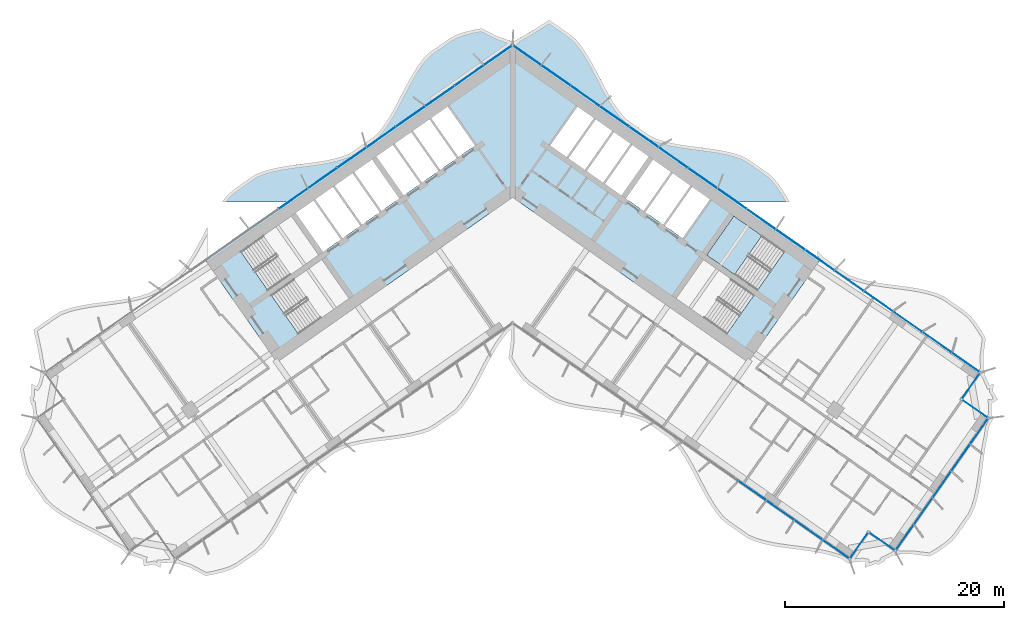
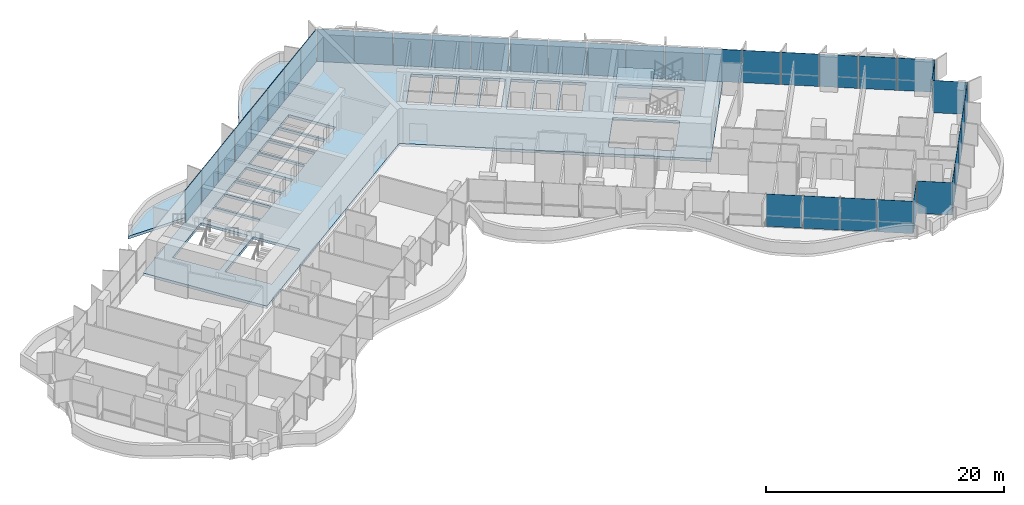
# One storey, part 12 of 24: 37 plates, 3 slabs, 3 elements without a shape of their own.
"""IFC4 building model written with IfcOpenShell, lengths in metres."""

from ifc_helpers import new_model, si_unit, direction, frame, origin, origin_2d, place, context, subcontext, project, spatial, polyline, rectangle, outline, extrude, material, layer, layer_set, type_object, element, aggregate, save


model = new_model("IFC4")

# Units and contexts
model_context = context("Model", 3, precision=1e-05, world=origin(), true_north=direction((0.0, 1.0)))
body_context = subcontext(model_context, "Body", "Model", "MODEL_VIEW")
ifc_project = project(units=[si_unit("LENGTHUNIT", "METRE"), si_unit("AREAUNIT", "SQUARE_METRE"), si_unit("VOLUMEUNIT", "CUBIC_METRE"), si_unit("PLANEANGLEUNIT", "RADIAN"), si_unit("MASSUNIT", "GRAM", prefix="KILO")], contexts=[model_context])

# Site, building, storey
site_placement = place(None, origin())
site = spatial("IfcSite", under=ifc_project, at=site_placement, CompositionType="ELEMENT")
building_placement = place(site_placement, origin())
building = spatial("IfcBuilding", under=site, at=building_placement, Name="Tel Ilan Convention Tower", CompositionType="ELEMENT")
storey_placement = place(building_placement, frame((0.0, 0.0, 65.300048828125)))
storey = spatial("IfcBuildingStorey", under=building, at=storey_placement, Name="L11", CompositionType="ELEMENT", Elevation=65.300048828125)

# Curtain wall, plates
ifc_material_1 = material(Name="Aluminium, bronze anodised", Category="aluminium")
curtain_wall_type_1 = type_object("IfcCurtainWallType", Name="CW1 UNITISED CURTAIN WALL, HOTEL TINTED GLASS", PredefinedType="NOTDEFINED", material=ifc_material_1)
curtain_wall_1_placement = place(storey_placement, origin())
curtain_wall_1 = element("IfcCurtainWall", 1, at=curtain_wall_1_placement, inside=storey, type_object=curtain_wall_type_1, Name="Curtain wall CW1-12.02", PredefinedType="NOTDEFINED")
ifc_material_2 = material(Name="Glass, bronze tinted, two-ply unitised", Category="glass")
ifc_layer_1 = layer(ifc_material_2, 0.028076171875)
ifc_layer_set_1 = layer_set([ifc_layer_1], Name="CW HOTEL GLASS PANEL 28")
plate_type_1 = type_object("IfcPlateType", Name="CW HOTEL GLASS PANEL 28", PredefinedType="CURTAIN_PANEL", material=ifc_layer_set_1)
plate_1_placement = place(storey_placement, frame((21.90185546875, -28.031982421875, 0.0), z_axis=(0.0, 0.0, 1.0), x_axis=(0.819152044289, -0.573576436351, 0.0)))
plate_1 = element("IfcPlate", 2, at=plate_1_placement, type_object=plate_type_1, Name="Glass panel", PredefinedType="CURTAIN_PANEL", context=body_context, shape_type="SweptSolid", body=[
    extrude(rectangle(XDim=3.077392578125, YDim=0.028076171875, at=origin_2d()), origin(), (0.0, 0.0, 1.0), 3.320068359375),
])
plate_2_placement = place(storey_placement, frame((24.4716796875, -29.831298828125, 0.0), z_axis=(0.0, 0.0, 1.0), x_axis=(0.819152044289, -0.573576436351, 0.0)))
plate_2 = element("IfcPlate", 3, at=plate_2_placement, type_object=plate_type_1, Name="Glass panel", PredefinedType="CURTAIN_PANEL", context=body_context, shape_type="SweptSolid", body=[
    extrude(rectangle(XDim=3.077392578125, YDim=0.028076171875, at=origin_2d()), origin(), (0.0, 0.0, 1.0), 3.320068359375),
])
plate_3_placement = place(storey_placement, frame((27.041748046875, -31.630859375, 0.0), z_axis=(0.0, 0.0, 1.0), x_axis=(0.819152044289, -0.573576436351, 0.0)))
plate_3 = element("IfcPlate", 4, at=plate_3_placement, type_object=plate_type_1, Name="Glass panel", PredefinedType="CURTAIN_PANEL", context=body_context, shape_type="SweptSolid", body=[
    extrude(rectangle(XDim=3.077392578125, YDim=0.028076171875, at=origin_2d()), origin(), (0.0, 0.0, 1.0), 3.320068359375),
])
plate_4_placement = place(storey_placement, frame((29.5732421875, -33.4033203125, 0.0), z_axis=(0.0, 0.0, 1.0), x_axis=(0.819152044289, -0.573576436351, 0.0)))
plate_4 = element("IfcPlate", 5, at=plate_4_placement, type_object=plate_type_1, Name="Glass panel", PredefinedType="CURTAIN_PANEL", context=body_context, shape_type="SweptSolid", body=[
    extrude(rectangle(XDim=2.9833984375, YDim=0.028076171875, at=origin_2d()), origin(), (0.0, 0.0, 1.0), 3.320068359375),
])
plate_5_placement = place(storey_placement, frame((31.653076171875, -33.07568359375, 0.0), z_axis=(0.0, 0.0, 1.0), x_axis=(0.573576436351, 0.819152044289, 0.0)))
plate_5 = element("IfcPlate", 6, at=plate_5_placement, type_object=plate_type_1, Name="Glass panel", PredefinedType="CURTAIN_PANEL", context=body_context, shape_type="SweptSolid", body=[
    extrude(rectangle(XDim=2.875, YDim=0.028076171875, at=origin_2d()), origin(), (0.0, 0.0, 1.0), 3.320068359375),
])
plate_6_placement = place(storey_placement, frame((33.795654296875, -32.69775390625, 0.0), z_axis=(0.0, 0.0, 1.0), x_axis=(0.819152044289, -0.573576436351, 0.0)))
plate_6 = element("IfcPlate", 7, at=plate_6_placement, type_object=plate_type_1, Name="Glass panel", PredefinedType="CURTAIN_PANEL", context=body_context, shape_type="SweptSolid", body=[
    extrude(rectangle(XDim=2.875, YDim=0.028076171875, at=origin_2d()), origin(), (0.0, 0.0, 1.0), 3.320068359375),
])
plate_7_placement = place(storey_placement, frame((35.822998046875, -32.350830078125, 0.0), z_axis=(0.0, 0.0, 1.0), x_axis=(0.573576436351, 0.819152044289, 0.0)))
plate_7 = element("IfcPlate", 8, at=plate_7_placement, type_object=plate_type_1, Name="Glass panel", PredefinedType="CURTAIN_PANEL", context=body_context, shape_type="SweptSolid", body=[
    extrude(rectangle(XDim=2.845947265625, YDim=0.028076171875, at=origin_2d()), origin(), (0.0, 0.0, 1.0), 3.320068359375),
])
plate_8_placement = place(storey_placement, frame((37.5166015625, -29.931884765625, 0.0), z_axis=(0.0, 0.0, 1.0), x_axis=(0.573576436351, 0.819152044289, 0.0)))
plate_8 = element("IfcPlate", 9, at=plate_8_placement, type_object=plate_type_1, Name="Glass panel", PredefinedType="CURTAIN_PANEL", context=body_context, shape_type="SweptSolid", body=[
    extrude(rectangle(XDim=2.93994140625, YDim=0.028076171875, at=origin_2d()), origin(), (0.0, 0.0, 1.0), 3.320068359375),
])
plate_9_placement = place(storey_placement, frame((39.2373046875, -27.474365234375, 0.0), z_axis=(0.0, 0.0, 1.0), x_axis=(0.573576436351, 0.819152044289, 0.0)))
plate_9 = element("IfcPlate", 10, at=plate_9_placement, type_object=plate_type_1, Name="Glass panel", PredefinedType="CURTAIN_PANEL", context=body_context, shape_type="SweptSolid", body=[
    extrude(rectangle(XDim=2.93994140625, YDim=0.028076171875, at=origin_2d()), origin(), (0.0, 0.0, 1.0), 3.320068359375),
])
plate_10_placement = place(storey_placement, frame((40.9580078125, -25.016845703125, 0.0), z_axis=(0.0, 0.0, 1.0), x_axis=(0.573576436351, 0.819152044289, 0.0)))
plate_10 = element("IfcPlate", 11, at=plate_10_placement, type_object=plate_type_1, Name="Glass panel", PredefinedType="CURTAIN_PANEL", context=body_context, shape_type="SweptSolid", body=[
    extrude(rectangle(XDim=2.93994140625, YDim=0.028076171875, at=origin_2d()), origin(), (0.0, 0.0, 1.0), 3.320068359375),
])
plate_11_placement = place(storey_placement, frame((42.65185546875, -22.597900390625, 0.0), z_axis=(0.0, 0.0, 1.0), x_axis=(0.573576436351, 0.819152044289, 0.0)))
plate_11 = element("IfcPlate", 12, at=plate_11_placement, type_object=plate_type_1, Name="Glass panel", PredefinedType="CURTAIN_PANEL", context=body_context, shape_type="SweptSolid", body=[
    extrude(rectangle(XDim=2.845947265625, YDim=0.028076171875, at=origin_2d()), origin(), (0.0, 0.0, 1.0), 3.320068359375),
])
plate_12_placement = place(storey_placement, frame((42.28466796875, -20.57421875, 0.0), z_axis=(0.0, 0.0, 1.0), x_axis=(-0.819152044289, 0.573576436351, 0.0)))
plate_12 = element("IfcPlate", 13, at=plate_12_placement, type_object=plate_type_1, Name="Glass panel", PredefinedType="CURTAIN_PANEL", context=body_context, shape_type="SweptSolid", body=[
    extrude(rectangle(XDim=2.875, YDim=0.028076171875, at=origin_2d()), origin(), (0.0, 0.0, 1.0), 3.320068359375),
])
plate_13_placement = place(storey_placement, frame((41.90673828125, -18.431640625, 0.0), z_axis=(0.0, 0.0, 1.0), x_axis=(0.573576436351, 0.819152044289, 0.0)))
plate_13 = element("IfcPlate", 14, at=plate_13_placement, type_object=plate_type_1, Name="Glass panel", PredefinedType="CURTAIN_PANEL", context=body_context, shape_type="SweptSolid", body=[
    extrude(rectangle(XDim=2.875, YDim=0.028076171875, at=origin_2d()), origin(), (0.0, 0.0, 1.0), 3.320068359375),
])
plate_14_placement = place(storey_placement, frame((41.448486328125, -16.326416015625, 0.0), z_axis=(0.0, 0.0, 1.0), x_axis=(-0.819152044289, 0.573576436351, 0.0)))
plate_14 = element("IfcPlate", 15, at=plate_14_placement, type_object=plate_type_1, Name="Glass panel", PredefinedType="CURTAIN_PANEL", context=body_context, shape_type="SweptSolid", body=[
    extrude(rectangle(XDim=3.117919921875, YDim=0.028076171875, at=origin_2d()), origin(), (0.0, 0.0, 1.0), 3.320068359375),
])
plate_15_placement = place(storey_placement, frame((38.806640625, -14.4765625, 0.0), z_axis=(0.0, 0.0, 1.0), x_axis=(-0.819152044289, 0.573576436351, 0.0)))
plate_15 = element("IfcPlate", 16, at=plate_15_placement, type_object=plate_type_1, Name="Glass panel", PredefinedType="CURTAIN_PANEL", context=body_context, shape_type="SweptSolid", body=[
    extrude(rectangle(XDim=3.2119140625, YDim=0.028076171875, at=origin_2d()), origin(), (0.0, 0.0, 1.0), 3.320068359375),
])
plate_16_placement = place(storey_placement, frame((36.12646484375, -12.599853515625, 0.0), z_axis=(0.0, 0.0, 1.0), x_axis=(-0.819152044289, 0.573576436351, 0.0)))
plate_16 = element("IfcPlate", 17, at=plate_16_placement, type_object=plate_type_1, Name="Glass panel", PredefinedType="CURTAIN_PANEL", context=body_context, shape_type="SweptSolid", body=[
    extrude(rectangle(XDim=3.2119140625, YDim=0.028076171875, at=origin_2d()), origin(), (0.0, 0.0, 1.0), 3.320068359375),
])
plate_17_placement = place(storey_placement, frame((33.446044921875, -10.72314453125, 0.0), z_axis=(0.0, 0.0, 1.0), x_axis=(-0.819152044289, 0.573576436351, 0.0)))
plate_17 = element("IfcPlate", 18, at=plate_17_placement, type_object=plate_type_1, Name="Glass panel", PredefinedType="CURTAIN_PANEL", context=body_context, shape_type="SweptSolid", body=[
    extrude(rectangle(XDim=3.2119140625, YDim=0.028076171875, at=origin_2d()), origin(), (0.0, 0.0, 1.0), 3.320068359375),
])
plate_18_placement = place(storey_placement, frame((30.765869140625, -8.846435546875, 0.0), z_axis=(0.0, 0.0, 1.0), x_axis=(-0.819152044289, 0.573576436351, 0.0)))
plate_18 = element("IfcPlate", 19, at=plate_18_placement, type_object=plate_type_1, Name="Glass panel", PredefinedType="CURTAIN_PANEL", context=body_context, shape_type="SweptSolid", body=[
    extrude(rectangle(XDim=3.2119140625, YDim=0.028076171875, at=origin_2d()), origin(), (0.0, 0.0, 1.0), 3.320068359375),
])
aggregate(curtain_wall_1, [plate_1, plate_2, plate_3, plate_4, plate_5, plate_6, plate_7, plate_8, plate_9, plate_10, plate_11, plate_12, plate_13, plate_14, plate_15, plate_16, plate_17, plate_18])

ifc_material_3 = material(Name="Aluminium, bronze anodised", Category="aluminium")
curtain_wall_type_2 = type_object("IfcCurtainWallType", Name="CW2 STICK CURTAIN WALL, SPANDREL PANELS", PredefinedType="NOTDEFINED", material=ifc_material_3)
curtain_wall_2_placement = place(storey_placement, origin())
curtain_wall_2 = element("IfcCurtainWall", 20, at=curtain_wall_2_placement, inside=storey, type_object=curtain_wall_type_2, Name="Curtain wall CW2-12.01", PredefinedType="NOTDEFINED")
ifc_material_4 = material(Name="Aluminium composite panel, bronze anodised", Category="aluminium")
ifc_layer_2 = layer(ifc_material_4, 0.06005859375)
ifc_layer_set_2 = layer_set([ifc_layer_2], Name="CW SPANDREL PANEL 60")
plate_type_2 = type_object("IfcPlateType", Name="CW SPANDREL PANEL 60", PredefinedType="CURTAIN_PANEL", material=ifc_layer_set_2)
plate_19_placement = place(storey_placement, frame((28.08544921875, -6.9697265625, 0.0), z_axis=(0.0, 0.0, 1.0), x_axis=(-0.819152044289, 0.573576436351, 0.0)))
plate_19 = element("IfcPlate", 21, at=plate_19_placement, type_object=plate_type_2, Name="Spandrel panel", PredefinedType="CURTAIN_PANEL", context=body_context, shape_type="SweptSolid", body=[
    extrude(rectangle(XDim=3.2119140625, YDim=0.06005859375, at=origin_2d()), origin(), (0.0, 0.0, 1.0), 3.320068359375),
])
plate_20_placement = place(storey_placement, frame((25.4052734375, -5.0927734375, 0.0), z_axis=(0.0, 0.0, 1.0), x_axis=(-0.819152044289, 0.573576436351, 0.0)))
plate_20 = element("IfcPlate", 22, at=plate_20_placement, type_object=plate_type_2, Name="Spandrel panel", PredefinedType="CURTAIN_PANEL", context=body_context, shape_type="SweptSolid", body=[
    extrude(rectangle(XDim=3.2119140625, YDim=0.06005859375, at=origin_2d()), origin(), (0.0, 0.0, 1.0), 3.320068359375),
])
plate_21_placement = place(storey_placement, frame((22.72509765625, -3.216064453125, 0.0), z_axis=(0.0, 0.0, 1.0), x_axis=(-0.819152044289, 0.573576436351, 0.0)))
plate_21 = element("IfcPlate", 23, at=plate_21_placement, type_object=plate_type_2, Name="Spandrel panel", PredefinedType="CURTAIN_PANEL", context=body_context, shape_type="SweptSolid", body=[
    extrude(rectangle(XDim=3.2119140625, YDim=0.06005859375, at=origin_2d()), origin(), (0.0, 0.0, 1.0), 3.320068359375),
])
plate_22_placement = place(storey_placement, frame((20.044677734375, -1.33935546875, 0.0), z_axis=(0.0, 0.0, 1.0), x_axis=(-0.819152044289, 0.573576436351, 0.0)))
plate_22 = element("IfcPlate", 24, at=plate_22_placement, type_object=plate_type_2, Name="Spandrel panel", PredefinedType="CURTAIN_PANEL", context=body_context, shape_type="SweptSolid", body=[
    extrude(rectangle(XDim=3.2119140625, YDim=0.06005859375, at=origin_2d()), origin(), (0.0, 0.0, 1.0), 3.320068359375),
])
plate_23_placement = place(storey_placement, frame((17.364501953125, 0.537353515625, 0.0), z_axis=(0.0, 0.0, 1.0), x_axis=(-0.819152044289, 0.573576436351, 0.0)))
plate_23 = element("IfcPlate", 25, at=plate_23_placement, type_object=plate_type_2, Name="Spandrel panel", PredefinedType="CURTAIN_PANEL", context=body_context, shape_type="SweptSolid", body=[
    extrude(rectangle(XDim=3.2119140625, YDim=0.06005859375, at=origin_2d()), origin(), (0.0, 0.0, 1.0), 3.320068359375),
])
plate_24_placement = place(storey_placement, frame((14.68408203125, 2.4140625, 0.0), z_axis=(0.0, 0.0, 1.0), x_axis=(-0.819152044289, 0.573576436351, 0.0)))
plate_24 = element("IfcPlate", 26, at=plate_24_placement, type_object=plate_type_2, Name="Spandrel panel", PredefinedType="CURTAIN_PANEL", context=body_context, shape_type="SweptSolid", body=[
    extrude(rectangle(XDim=3.2119140625, YDim=0.06005859375, at=origin_2d()), origin(), (0.0, 0.0, 1.0), 3.320068359375),
])
plate_25_placement = place(storey_placement, frame((12.00390625, 4.290771484375, 0.0), z_axis=(0.0, 0.0, 1.0), x_axis=(-0.819152044289, 0.573576436351, 0.0)))
plate_25 = element("IfcPlate", 27, at=plate_25_placement, type_object=plate_type_2, Name="Spandrel panel", PredefinedType="CURTAIN_PANEL", context=body_context, shape_type="SweptSolid", body=[
    extrude(rectangle(XDim=3.2119140625, YDim=0.06005859375, at=origin_2d()), origin(), (0.0, 0.0, 1.0), 3.320068359375),
])
plate_26_placement = place(storey_placement, frame((9.323486328125, 6.16748046875, 0.0), z_axis=(0.0, 0.0, 1.0), x_axis=(-0.819152044289, 0.573576436351, 0.0)))
plate_26 = element("IfcPlate", 28, at=plate_26_placement, type_object=plate_type_2, Name="Spandrel panel", PredefinedType="CURTAIN_PANEL", context=body_context, shape_type="SweptSolid", body=[
    extrude(rectangle(XDim=3.2119140625, YDim=0.06005859375, at=origin_2d()), origin(), (0.0, 0.0, 1.0), 3.320068359375),
])
plate_27_placement = place(storey_placement, frame((6.643310546875, 8.04443359375, 0.0), z_axis=(0.0, 0.0, 1.0), x_axis=(-0.819152044289, 0.573576436351, 0.0)))
plate_27 = element("IfcPlate", 29, at=plate_27_placement, type_object=plate_type_2, Name="Spandrel panel", PredefinedType="CURTAIN_PANEL", context=body_context, shape_type="SweptSolid", body=[
    extrude(rectangle(XDim=3.2119140625, YDim=0.06005859375, at=origin_2d()), origin(), (0.0, 0.0, 1.0), 3.320068359375),
])
plate_28_placement = place(storey_placement, frame((3.963134765625, 9.921142578125, 0.0), z_axis=(0.0, 0.0, 1.0), x_axis=(-0.819152044289, 0.573576436351, 0.0)))
plate_28 = element("IfcPlate", 30, at=plate_28_placement, type_object=plate_type_2, Name="Spandrel panel", PredefinedType="CURTAIN_PANEL", context=body_context, shape_type="SweptSolid", body=[
    extrude(rectangle(XDim=3.2119140625, YDim=0.06005859375, at=origin_2d()), origin(), (0.0, 0.0, 1.0), 3.320068359375),
])
plate_29_placement = place(storey_placement, frame((1.327880859375, 11.766357421875, 0.0), z_axis=(0.0, 0.0, 1.0), x_axis=(-0.819152044289, 0.573576436351, 0.0)))
plate_29 = element("IfcPlate", 31, at=plate_29_placement, type_object=plate_type_2, Name="Spandrel panel", PredefinedType="CURTAIN_PANEL", context=body_context, shape_type="SweptSolid", body=[
    extrude(rectangle(XDim=3.10205078125, YDim=0.06005859375, at=origin_2d()), origin(), (0.0, 0.0, 1.0), 3.320068359375),
])
plate_30_placement = place(storey_placement, frame((-1.327880859375, 11.766357421875, 0.0), z_axis=(0.0, 0.0, 1.0), x_axis=(-0.819152044289, -0.573576436351, 0.0)))
plate_30 = element("IfcPlate", 32, at=plate_30_placement, type_object=plate_type_2, Name="Spandrel panel", PredefinedType="CURTAIN_PANEL", context=body_context, shape_type="SweptSolid", body=[
    extrude(rectangle(XDim=3.10205078125, YDim=0.06005859375, at=origin_2d()), origin(), (0.0, 0.0, 1.0), 3.320068359375),
])
plate_31_placement = place(storey_placement, frame((-3.963134765625, 9.921142578125, 0.0), z_axis=(0.0, 0.0, 1.0), x_axis=(-0.819152044289, -0.573576436351, 0.0)))
plate_31 = element("IfcPlate", 33, at=plate_31_placement, type_object=plate_type_2, Name="Spandrel panel", PredefinedType="CURTAIN_PANEL", context=body_context, shape_type="SweptSolid", body=[
    extrude(rectangle(XDim=3.2119140625, YDim=0.06005859375, at=origin_2d()), origin(), (0.0, 0.0, 1.0), 3.320068359375),
])
plate_32_placement = place(storey_placement, frame((-6.643310546875, 8.04443359375, 0.0), z_axis=(0.0, 0.0, 1.0), x_axis=(-0.819152044289, -0.573576436351, 0.0)))
plate_32 = element("IfcPlate", 34, at=plate_32_placement, type_object=plate_type_2, Name="Spandrel panel", PredefinedType="CURTAIN_PANEL", context=body_context, shape_type="SweptSolid", body=[
    extrude(rectangle(XDim=3.2119140625, YDim=0.06005859375, at=origin_2d()), origin(), (0.0, 0.0, 1.0), 3.320068359375),
])
plate_33_placement = place(storey_placement, frame((-9.323486328125, 6.16748046875, 0.0), z_axis=(0.0, 0.0, 1.0), x_axis=(-0.819152044289, -0.573576436351, 0.0)))
plate_33 = element("IfcPlate", 35, at=plate_33_placement, type_object=plate_type_2, Name="Spandrel panel", PredefinedType="CURTAIN_PANEL", context=body_context, shape_type="SweptSolid", body=[
    extrude(rectangle(XDim=3.2119140625, YDim=0.06005859375, at=origin_2d()), origin(), (0.0, 0.0, 1.0), 3.320068359375),
])
plate_34_placement = place(storey_placement, frame((-12.00390625, 4.290771484375, 0.0), z_axis=(0.0, 0.0, 1.0), x_axis=(-0.819152044289, -0.573576436351, 0.0)))
plate_34 = element("IfcPlate", 36, at=plate_34_placement, type_object=plate_type_2, Name="Spandrel panel", PredefinedType="CURTAIN_PANEL", context=body_context, shape_type="SweptSolid", body=[
    extrude(rectangle(XDim=3.2119140625, YDim=0.06005859375, at=origin_2d()), origin(), (0.0, 0.0, 1.0), 3.320068359375),
])
plate_35_placement = place(storey_placement, frame((-14.68408203125, 2.4140625, 0.0), z_axis=(0.0, 0.0, 1.0), x_axis=(-0.819152044289, -0.573576436351, 0.0)))
plate_35 = element("IfcPlate", 37, at=plate_35_placement, type_object=plate_type_2, Name="Spandrel panel", PredefinedType="CURTAIN_PANEL", context=body_context, shape_type="SweptSolid", body=[
    extrude(rectangle(XDim=3.2119140625, YDim=0.06005859375, at=origin_2d()), origin(), (0.0, 0.0, 1.0), 3.320068359375),
])
plate_36_placement = place(storey_placement, frame((-17.364501953125, 0.537353515625, 0.0), z_axis=(0.0, 0.0, 1.0), x_axis=(-0.819152044289, -0.573576436351, 0.0)))
plate_36 = element("IfcPlate", 38, at=plate_36_placement, type_object=plate_type_2, Name="Spandrel panel", PredefinedType="CURTAIN_PANEL", context=body_context, shape_type="SweptSolid", body=[
    extrude(rectangle(XDim=3.2119140625, YDim=0.06005859375, at=origin_2d()), origin(), (0.0, 0.0, 1.0), 3.320068359375),
])
plate_37_placement = place(storey_placement, frame((-20.044677734375, -1.33935546875, 0.0), z_axis=(0.0, 0.0, 1.0), x_axis=(-0.819152044289, -0.573576436351, 0.0)))
plate_37 = element("IfcPlate", 39, at=plate_37_placement, type_object=plate_type_2, Name="Spandrel panel", PredefinedType="CURTAIN_PANEL", context=body_context, shape_type="SweptSolid", body=[
    extrude(rectangle(XDim=3.2119140625, YDim=0.06005859375, at=origin_2d()), origin(), (0.0, 0.0, 1.0), 3.320068359375),
])
aggregate(curtain_wall_2, [plate_19, plate_20, plate_21, plate_22, plate_23, plate_24, plate_25, plate_26, plate_27, plate_28, plate_29, plate_30, plate_31, plate_32, plate_33, plate_34, plate_35, plate_36, plate_37])

# Stair, slab
ifc_material_5 = material(Name="Concrete C40/50", Category="concrete")
stair_type = type_object("IfcStairType", Name="Pressurised Exit Stair 20 risers 180 mm", PredefinedType="HALF_TURN_STAIR", material=ifc_material_5)
stair_placement = place(storey_placement, origin())
stair = element("IfcStair", 40, at=stair_placement, inside=storey, type_object=stair_type, Name="L11 Pressurised Stair S3", PredefinedType="HALF_TURN_STAIR")
ifc_material_6 = material(Name="Concrete C40/50", Category="concrete")
ifc_layer_3 = layer(ifc_material_6, 0.199951171875)
ifc_layer_set_3 = layer_set([ifc_layer_3], Name="Concrete Stair Landing 200 mm C40/50")
slab_type_1 = type_object("IfcSlabType", Name="Concrete Stair Landing 200 mm", PredefinedType="LANDING", material=ifc_layer_set_3)
slab_1_placement = place(storey_placement, frame((0.0, 0.0, 1.599853515625)))
slab_1 = element("IfcSlab", 41, at=slab_1_placement, type_object=slab_type_1, Name="S3 landing 1", PredefinedType="LANDING", context=body_context, shape_type="SweptSolid", body=[
    extrude(outline(polyline([(22.791015625, -4.727294921875), (20.226318359375, -2.931640625), (17.7314453125, -6.494873046875), (20.2958984375, -8.29052734375), (22.791015625, -4.727294921875)])), origin(), (0.0, 0.0, 1.0), 0.2001953125),
])
aggregate(stair, [slab_1])

# Slabs
ifc_material_7 = material(Name="Concrete C40/50", Category="concrete")
ifc_layer_4 = layer(ifc_material_7, 0.280029296875)
ifc_layer_set_4 = layer_set([ifc_layer_4], Name="Core Floor Slab 280 mm C40/50")
slab_type_2 = type_object("IfcSlabType", Name="Core Floor Slab 280 mm C40/50", PredefinedType="FLOOR", material=ifc_layer_set_4)
slab_2_placement = place(storey_placement, frame((0.0, 0.0, -0.280029296875)))
element("IfcSlab", 42, at=slab_2_placement, inside=storey, type_object=slab_type_2, Name="L11 core floor 1", PredefinedType="FLOOR", context=body_context, shape_type="SweptSolid", body=[
    extrude(outline(polyline([(-0.2412109375, 12.6494140625), (-1.02099609375, 12.103271484375), (0.0, 12.818115234375), (28.1396484375, -6.885498046875), (21.54345703125, -16.3056640625), (0.0, -1.220703125), (-21.54345703125, -16.3056640625), (-28.1396484375, -6.885498046875), (-1.304931640625, 11.904296875), (-0.2412109375, 12.6494140625), (-6.190673828125, 8.4833984375), (-0.2412109375, 12.6494140625)]), holes=[polyline([(-14.949462890625, -10.4677734375), (-17.444580078125, -6.904541015625), (-22.072021484375, -10.144775390625), (-19.5771484375, -13.7080078125), (-14.949462890625, -10.4677734375)]), polyline([(-17.7314453125, -6.494873046875), (-20.226318359375, -2.931640625), (-24.85400390625, -6.171875), (-22.35888671875, -9.735107421875), (-17.7314453125, -6.494873046875)]), polyline([(-18.198974609375, -1.511962890625), (-19.81689453125, -2.644775390625), (-17.32177734375, -6.2080078125), (-15.7041015625, -5.0751953125), (-18.198974609375, -1.511962890625)]), polyline([(-16.41748046875, -0.264404296875), (-18.03515625, -1.397216796875), (-15.5400390625, -4.960693359375), (-13.92236328125, -3.827880859375), (-16.41748046875, -0.264404296875)]), polyline([(-14.6357421875, 0.983154296875), (-16.25341796875, -0.149658203125), (-13.758544921875, -3.712890625), (-12.140625, -2.580078125), (-14.6357421875, 0.983154296875)]), polyline([(-12.85400390625, 2.230712890625), (-14.471923828125, 1.097900390625), (-11.976806640625, -2.465576171875), (-10.35888671875, -1.332763671875), (-12.85400390625, 2.230712890625)]), polyline([(-10.939208984375, 3.5712890625), (-12.444580078125, 2.517333984375), (-9.949462890625, -1.0458984375), (-8.444091796875, 0.008056640625), (-10.939208984375, 3.5712890625)]), polyline([(-6.775146484375, 1.1767578125), (-9.270263671875, 4.739990234375), (-10.775390625, 3.68603515625), (-8.280517578125, 0.122802734375), (-6.775146484375, 1.1767578125)]), polyline([(-5.106201171875, 2.345458984375), (-7.601318359375, 5.90869140625), (-9.1064453125, 4.854736328125), (-6.611328125, 1.29150390625), (-5.106201171875, 2.345458984375)]), polyline([(-5.93212890625, 7.077392578125), (-7.4375, 6.0234375), (-4.9423828125, 2.460205078125), (-3.437255859375, 3.513916015625), (-5.93212890625, 7.077392578125)]), polyline([(17.444580078125, -6.904541015625), (14.949462890625, -10.4677734375), (19.5771484375, -13.7080078125), (22.072021484375, -10.144775390625), (17.444580078125, -6.904541015625)]), polyline([(20.226318359375, -2.931640625), (17.7314453125, -6.494873046875), (22.35888671875, -9.735107421875), (24.85400390625, -6.171875), (20.226318359375, -2.931640625)]), polyline([(13.92236328125, -3.827880859375), (15.5400390625, -4.960693359375), (18.03515625, -1.397216796875), (16.41748046875, -0.264404296875), (13.92236328125, -3.827880859375)]), polyline([(12.140625, -2.580078125), (13.758544921875, -3.712890625), (16.25341796875, -0.149658203125), (14.6357421875, 0.983154296875), (12.140625, -2.580078125)]), polyline([(11.976806640625, -2.465576171875), (14.471923828125, 1.097900390625), (12.85400390625, 2.230712890625), (10.35888671875, -1.332763671875), (11.976806640625, -2.465576171875)]), polyline([(9.949462890625, -1.0458984375), (12.444580078125, 2.517333984375), (10.939208984375, 3.5712890625), (8.444091796875, 0.008056640625), (9.949462890625, -1.0458984375)]), polyline([(8.280517578125, 0.122802734375), (10.775390625, 3.68603515625), (9.270263671875, 4.739990234375), (6.775146484375, 1.1767578125), (8.280517578125, 0.122802734375)]), polyline([(5.106201171875, 2.345458984375), (6.611328125, 1.29150390625), (9.1064453125, 4.854736328125), (7.601318359375, 5.90869140625), (5.106201171875, 2.345458984375)]), polyline([(3.437255859375, 3.513916015625), (4.9423828125, 2.460205078125), (7.4375, 6.0234375), (5.93212890625, 7.077392578125), (3.437255859375, 3.513916015625)])]), origin(), (0.0, 0.0, 1.0), 0.280029296875),
])
ifc_material_8 = material(Name="Concrete C40/50", Category="concrete")
ifc_layer_5 = layer(ifc_material_8, 0.280029296875)
ifc_layer_set_5 = layer_set([ifc_layer_5], Name="Edge Ledge Slab 280 mm C40/50")
slab_type_3 = type_object("IfcSlabType", Name="Edge Ledge Slab 280 mm C40/50", PredefinedType="FLOOR", material=ifc_layer_set_5)
slab_3_placement = place(storey_placement, frame((0.0, 0.0, -0.280029296875)))
element("IfcSlab", 43, at=slab_3_placement, inside=storey, type_object=slab_type_3, Name="L11 edge ledge 2", PredefinedType="FLOOR", context=body_context, shape_type="SweptSolid", body=[
    extrude(outline(polyline([(-23.564453125, 0.8349609375), (-22.857421875, 1.129150390625), (-22.099365234375, 1.350341796875), (-21.307861328125, 1.52392578125), (-20.490966796875, 1.661376953125), (-19.658203125, 1.77587890625), (-18.8193359375, 1.881591796875), (-17.98486328125, 1.993896484375), (-17.16455078125, 2.12646484375), (-16.368408203125, 2.29296875), (-15.60400390625, 2.50537109375), (-14.87890625, 2.773681640625), (-14.2626953125, 3.197509765625), (-13.037353515625, 4.055419921875), (-12.43994140625, 4.506103515625), (-11.945068359375, 5.103271484375), (-11.48828125, 5.755126953125), (-11.06298828125, 6.451416015625), (-10.66015625, 7.179931640625), (-10.2705078125, 7.927490234375), (-9.8837890625, 8.67919921875), (-9.489990234375, 9.42041015625), (-9.078857421875, 10.13720703125), (-8.641357421875, 10.81640625), (-8.169677734375, 11.446533203125), (-7.635986328125, 11.98828125), (-5.798095703125, 13.275146484375), (-5.14013671875, 13.639404296875), (-4.39794921875, 13.88330078125), (-3.619384765625, 14.075439453125), (-2.81201171875, 14.226318359375), (-1.382080078125, 13.48828125), (-0.172119140625, 13.06396484375), (-0.168701171875, 13.05908203125), (-0.11474609375, 13.09521484375), (0.0, 13.1181640625), (0.11474609375, 13.09521484375), (0.168701171875, 13.05908203125), (0.172119140625, 13.06396484375), (1.705810546875, 13.95068359375), (3.347412109375, 14.990966796875), (3.960205078125, 14.56201171875), (5.185302734375, 13.7041015625), (5.7705078125, 13.23583984375), (6.26025390625, 12.63134765625), (6.712646484375, 11.9736328125), (7.134765625, 11.272705078125), (7.535400390625, 10.540771484375), (7.924072265625, 9.7919921875), (8.31103515625, 9.040771484375), (8.70654296875, 8.3017578125), (9.12060546875, 7.589111328125), (9.56201171875, 6.915283203125), (10.038330078125, 6.2919921875), (10.5869140625, 5.771484375), (12.4248046875, 4.484619140625), (13.0966796875, 4.139892578125), (13.843505859375, 3.903076171875), (14.626220703125, 3.716796875), (15.4365234375, 3.570068359375), (16.265625, 3.4501953125), (17.103759765625, 3.343505859375), (17.940673828125, 3.234619140625), (18.76611328125, 3.109619140625), (19.5703125, 2.9541015625), (20.344482421875, 2.756103515625), (21.081787109375, 2.505126953125), (21.7265625, 2.121826171875), (23.564453125, 0.8349609375), (24.082763671875, 0.271240234375), (24.5498046875, -0.365478515625), (24.983642578125, -1.0498046875), (25.313232421875, -1.631591796875), (20.63623046875, -1.631591796875), (0.0, 12.818115234375), (-0.23974609375, 12.650146484375), (-1.244384765625, 11.94677734375), (-20.63623046875, -1.631591796875), (-26.5380859375, -1.631591796875), (-26.470947265625, -1.533447265625), (-25.98291015625, -0.9267578125), (-25.40234375, -0.451904296875), (-23.564453125, 0.8349609375)])), origin(), (0.0, 0.0, 1.0), 0.280029296875),
])

save(model, "model.ifc")
